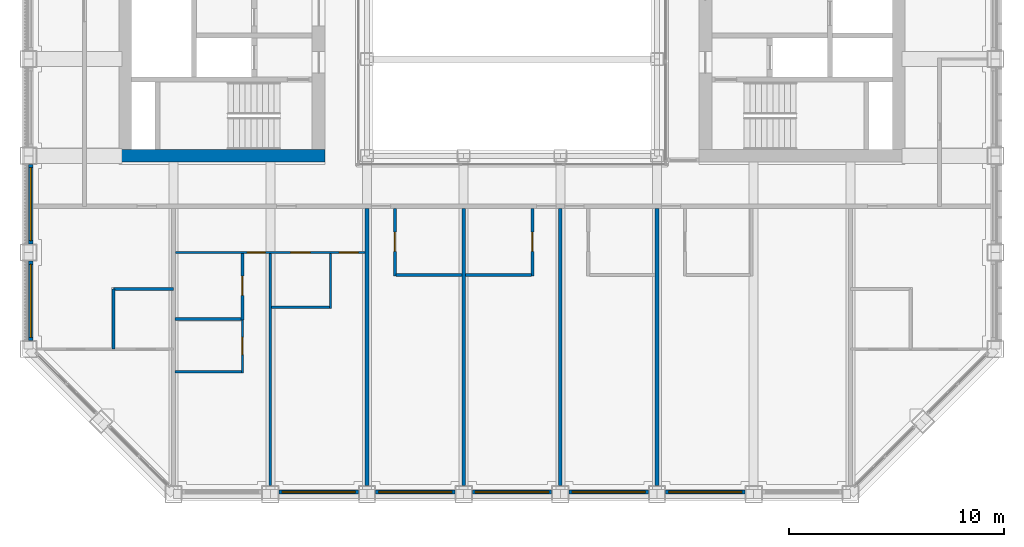
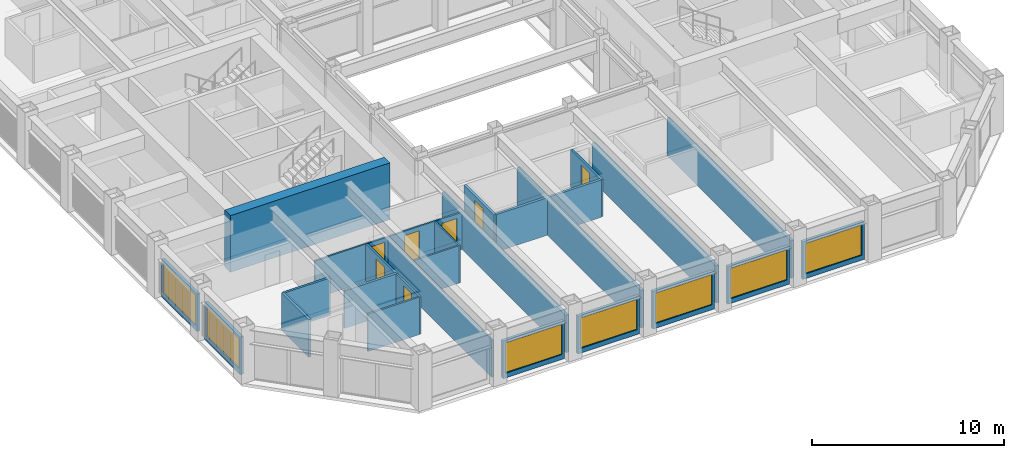
# One storey, part 10 of 18: 26 walls, 7 doors, 7 windows, 14 openings.
"""IFC4 building model written with IfcOpenShell, lengths in metres."""

from ifc_helpers import new_model, si_unit, direction, frame, frame_2d, origin, place, context, subcontext, project, spatial, rectangle, extrude, material, layer, layer_set, type_object, element, fill, save


model = new_model("IFC4")

# Units and contexts
model_context = context("Model", 3, precision=1e-05, world=origin(), true_north=direction((0.0, 1.0)))
body_context = subcontext(model_context, "Body", "Model", "MODEL_VIEW")
ifc_project = project(units=[si_unit("LENGTHUNIT", "METRE"), si_unit("AREAUNIT", "SQUARE_METRE"), si_unit("VOLUMEUNIT", "CUBIC_METRE"), si_unit("PLANEANGLEUNIT", "RADIAN"), si_unit("MASSUNIT", "GRAM", prefix="KILO")], contexts=[model_context])

# Site, building, storey
site_placement = place(None, origin())
site = spatial("IfcSite", under=ifc_project, at=site_placement, CompositionType="ELEMENT")
building_placement = place(site_placement, origin())
building = spatial("IfcBuilding", under=site, at=building_placement, Name="Msasa Ring Tower", CompositionType="ELEMENT")
storey_placement = place(building_placement, frame((0.0, 0.0, 186.800048828125)))
storey = spatial("IfcBuildingStorey", under=building, at=storey_placement, Name="L49", CompositionType="ELEMENT", Elevation=186.800048828125)

# Wall
ifc_material_1 = material(Name="Concrete C60/75", Category="concrete")
ifc_layer_1 = layer(ifc_material_1, 0.60009765625)
ifc_layer_set_1 = layer_set([ifc_layer_1], Name="CW2 CORE WALL 600")
wall_type_1 = type_object("IfcWallType", Name="CW2 CORE WALL 600", PredefinedType="SHEAR", material=ifc_layer_set_1)
wall_1_placement = place(storey_placement, frame((-8.699951171875, -6.75, 0.0), z_axis=(0.0, 0.0, 1.0), x_axis=(-1.0, 0.0, 0.0)))
element("IfcWall", 1, at=wall_1_placement, inside=storey, type_object=wall_type_1, Name="W core wall S L49", PredefinedType="SHEAR", context=body_context, shape_type="SweptSolid", body=[
    extrude(rectangle(XDim=9.60009765625, YDim=0.60009765625, at=frame_2d((4.800048828125, 0.0))), origin(), (0.0, 0.0, 1.0), 3.599853515625),
])

# Wall, opening, window
ifc_material_2 = material(Name="Terracotta rainscreen on blockwork", Category="masonry")
ifc_layer_2 = layer(ifc_material_2, 0.199951171875)
ifc_layer_set_2 = layer_set([ifc_layer_2], Name="FW1 TERRACOTTA-LINED INFILL BAY WALL 200")
wall_type_2 = type_object("IfcWallType", Name="FW1 TERRACOTTA-LINED INFILL BAY WALL 200", PredefinedType="SOLIDWALL", material=ifc_layer_set_2)
wall_2_placement = place(storey_placement, frame((-10.844970703125, -22.39990234375, 0.0), z_axis=(0.0, 0.0, 1.0), x_axis=(1.0, 0.0, 0.0)))
wall_2 = element("IfcWall", 2, at=wall_2_placement, inside=storey, type_object=wall_type_2, Name="Infill bay wall S L49 01", PredefinedType="SOLIDWALL", context=body_context, shape_type="SweptSolid", body=[
    extrude(rectangle(XDim=3.68994140625, YDim=0.199951171875, at=frame_2d((1.844970703125, 0.0))), origin(), (0.0, 0.0, 1.0), 2.37890625),
])
opening_1_placement = place(wall_2_placement, frame((0.14501953125, 0.0, 0.300048828125)))
opening_1 = element("IfcOpeningElement", 3, at=opening_1_placement, cuts=wall_2, Name="Opening WN7", PredefinedType="OPENING", context=body_context, shape_type="SweptSolid", body=[
    extrude(rectangle(XDim=3.39990234375, YDim=1.928955078125, at=frame_2d((1.699951171875, 0.96435546875))), frame((0.0, 0.10986328125, 0.0), z_axis=(0.0, -1.0, 0.0), x_axis=(1.0, 0.0, 0.0)), (0.0, 0.0, 1.0), 0.219970703125),
])
ifc_material_3 = material(Name="Aluminium frame with clear glass", Category="aluminium")
window_type = type_object("IfcWindowType", Name="WN7 GUEST ROOM WINDOW 3400x1929", PartitioningType="SINGLE_PANEL", PredefinedType="WINDOW", material=ifc_material_3)
window_1_placement = place(opening_1_placement, origin())
window_1 = element("IfcWindow", 4, at=window_1_placement, inside=storey, type_object=window_type, Name="Window S L49 01", OverallHeight=1.928955078125, OverallWidth=3.39990234375, PartitioningType="SINGLE_PANEL", PredefinedType="WINDOW", context=body_context, shape_type="SweptSolid", body=[
    extrude(rectangle(XDim=3.39990234375, YDim=1.928955078125, at=frame_2d((1.699951171875, 0.96435546875))), frame((0.0, 0.030029296875, 0.0), z_axis=(0.0, -1.0, 0.0), x_axis=(1.0, 0.0, 0.0)), (0.0, 0.0, 1.0), 0.06005859375),
])
fill(opening_1, window_1)

wall_3_placement = place(storey_placement, frame((-6.344970703125, -22.39990234375, 0.0), z_axis=(0.0, 0.0, 1.0), x_axis=(1.0, 0.0, 0.0)))
wall_3 = element("IfcWall", 5, at=wall_3_placement, inside=storey, type_object=wall_type_2, Name="Infill bay wall S L49 02", PredefinedType="SOLIDWALL", context=body_context, shape_type="SweptSolid", body=[
    extrude(rectangle(XDim=3.68994140625, YDim=0.199951171875, at=frame_2d((1.844970703125, 0.0))), origin(), (0.0, 0.0, 1.0), 2.37890625),
])
opening_2_placement = place(wall_3_placement, frame((0.14501953125, 0.0, 0.300048828125)))
opening_2 = element("IfcOpeningElement", 6, at=opening_2_placement, cuts=wall_3, Name="Opening WN7", PredefinedType="OPENING", context=body_context, shape_type="SweptSolid", body=[
    extrude(rectangle(XDim=3.39990234375, YDim=1.928955078125, at=frame_2d((1.699951171875, 0.96435546875))), frame((0.0, 0.10986328125, 0.0), z_axis=(0.0, -1.0, 0.0), x_axis=(1.0, 0.0, 0.0)), (0.0, 0.0, 1.0), 0.219970703125),
])
window_2_placement = place(opening_2_placement, origin())
window_2 = element("IfcWindow", 7, at=window_2_placement, inside=storey, type_object=window_type, Name="Window S L49 02", OverallHeight=1.928955078125, OverallWidth=3.39990234375, PartitioningType="SINGLE_PANEL", PredefinedType="WINDOW", context=body_context, shape_type="SweptSolid", body=[
    extrude(rectangle(XDim=3.39990234375, YDim=1.928955078125, at=frame_2d((1.699951171875, 0.96435546875))), frame((0.0, 0.030029296875, 0.0), z_axis=(0.0, -1.0, 0.0), x_axis=(1.0, 0.0, 0.0)), (0.0, 0.0, 1.0), 0.06005859375),
])
fill(opening_2, window_2)

wall_4_placement = place(storey_placement, frame((-1.844970703125, -22.39990234375, 0.0), z_axis=(0.0, 0.0, 1.0), x_axis=(1.0, 0.0, 0.0)))
wall_4 = element("IfcWall", 8, at=wall_4_placement, inside=storey, type_object=wall_type_2, Name="Infill bay wall S L49 03", PredefinedType="SOLIDWALL", context=body_context, shape_type="SweptSolid", body=[
    extrude(rectangle(XDim=3.68994140625, YDim=0.199951171875, at=frame_2d((1.844970703125, 0.0))), origin(), (0.0, 0.0, 1.0), 2.37890625),
])
opening_3_placement = place(wall_4_placement, frame((0.14501953125, 0.0, 0.300048828125)))
opening_3 = element("IfcOpeningElement", 9, at=opening_3_placement, cuts=wall_4, Name="Opening WN7", PredefinedType="OPENING", context=body_context, shape_type="SweptSolid", body=[
    extrude(rectangle(XDim=3.39990234375, YDim=1.928955078125, at=frame_2d((1.699951171875, 0.96435546875))), frame((0.0, 0.10986328125, 0.0), z_axis=(0.0, -1.0, 0.0), x_axis=(1.0, 0.0, 0.0)), (0.0, 0.0, 1.0), 0.219970703125),
])
window_3_placement = place(opening_3_placement, origin())
window_3 = element("IfcWindow", 10, at=window_3_placement, inside=storey, type_object=window_type, Name="Window S L49 03", OverallHeight=1.928955078125, OverallWidth=3.39990234375, PartitioningType="SINGLE_PANEL", PredefinedType="WINDOW", context=body_context, shape_type="SweptSolid", body=[
    extrude(rectangle(XDim=3.39990234375, YDim=1.928955078125, at=frame_2d((1.699951171875, 0.96435546875))), frame((0.0, 0.030029296875, 0.0), z_axis=(0.0, -1.0, 0.0), x_axis=(1.0, 0.0, 0.0)), (0.0, 0.0, 1.0), 0.06005859375),
])
fill(opening_3, window_3)

wall_5_placement = place(storey_placement, frame((2.655029296875, -22.39990234375, 0.0), z_axis=(0.0, 0.0, 1.0), x_axis=(1.0, 0.0, 0.0)))
wall_5 = element("IfcWall", 11, at=wall_5_placement, inside=storey, type_object=wall_type_2, Name="Infill bay wall S L49 04", PredefinedType="SOLIDWALL", context=body_context, shape_type="SweptSolid", body=[
    extrude(rectangle(XDim=3.68994140625, YDim=0.199951171875, at=frame_2d((1.844970703125, 0.0))), origin(), (0.0, 0.0, 1.0), 2.37890625),
])
opening_4_placement = place(wall_5_placement, frame((0.14501953125, 0.0, 0.300048828125)))
opening_4 = element("IfcOpeningElement", 12, at=opening_4_placement, cuts=wall_5, Name="Opening WN7", PredefinedType="OPENING", context=body_context, shape_type="SweptSolid", body=[
    extrude(rectangle(XDim=3.39990234375, YDim=1.928955078125, at=frame_2d((1.699951171875, 0.96435546875))), frame((0.0, 0.10986328125, 0.0), z_axis=(0.0, -1.0, 0.0), x_axis=(1.0, 0.0, 0.0)), (0.0, 0.0, 1.0), 0.219970703125),
])
window_4_placement = place(opening_4_placement, origin())
window_4 = element("IfcWindow", 13, at=window_4_placement, inside=storey, type_object=window_type, Name="Window S L49 04", OverallHeight=1.928955078125, OverallWidth=3.39990234375, PartitioningType="SINGLE_PANEL", PredefinedType="WINDOW", context=body_context, shape_type="SweptSolid", body=[
    extrude(rectangle(XDim=3.39990234375, YDim=1.928955078125, at=frame_2d((1.699951171875, 0.96435546875))), frame((0.0, 0.030029296875, 0.0), z_axis=(0.0, -1.0, 0.0), x_axis=(1.0, 0.0, 0.0)), (0.0, 0.0, 1.0), 0.06005859375),
])
fill(opening_4, window_4)

wall_6_placement = place(storey_placement, frame((7.155029296875, -22.39990234375, 0.0), z_axis=(0.0, 0.0, 1.0), x_axis=(1.0, 0.0, 0.0)))
wall_6 = element("IfcWall", 14, at=wall_6_placement, inside=storey, type_object=wall_type_2, Name="Infill bay wall S L49 05", PredefinedType="SOLIDWALL", context=body_context, shape_type="SweptSolid", body=[
    extrude(rectangle(XDim=3.68994140625, YDim=0.199951171875, at=frame_2d((1.844970703125, 0.0))), origin(), (0.0, 0.0, 1.0), 2.37890625),
])
opening_5_placement = place(wall_6_placement, frame((0.14501953125, 0.0, 0.300048828125)))
opening_5 = element("IfcOpeningElement", 15, at=opening_5_placement, cuts=wall_6, Name="Opening WN7", PredefinedType="OPENING", context=body_context, shape_type="SweptSolid", body=[
    extrude(rectangle(XDim=3.39990234375, YDim=1.928955078125, at=frame_2d((1.699951171875, 0.96435546875))), frame((0.0, 0.10986328125, 0.0), z_axis=(0.0, -1.0, 0.0), x_axis=(1.0, 0.0, 0.0)), (0.0, 0.0, 1.0), 0.219970703125),
])
window_5_placement = place(opening_5_placement, origin())
window_5 = element("IfcWindow", 16, at=window_5_placement, inside=storey, type_object=window_type, Name="Window S L49 05", OverallHeight=1.928955078125, OverallWidth=3.39990234375, PartitioningType="SINGLE_PANEL", PredefinedType="WINDOW", context=body_context, shape_type="SweptSolid", body=[
    extrude(rectangle(XDim=3.39990234375, YDim=1.928955078125, at=frame_2d((1.699951171875, 0.96435546875))), frame((0.0, 0.030029296875, 0.0), z_axis=(0.0, -1.0, 0.0), x_axis=(1.0, 0.0, 0.0)), (0.0, 0.0, 1.0), 0.06005859375),
])
fill(opening_5, window_5)

wall_7_placement = place(storey_placement, frame((-22.39990234375, -15.344970703125, 0.0), z_axis=(0.0, 0.0, 1.0), x_axis=(0.0, 1.0, 0.0)))
wall_7 = element("IfcWall", 17, at=wall_7_placement, inside=storey, type_object=wall_type_2, Name="Infill bay wall W L49 27", PredefinedType="SOLIDWALL", context=body_context, shape_type="SweptSolid", body=[
    extrude(rectangle(XDim=3.68994140625, YDim=0.199951171875, at=frame_2d((1.844970703125, 0.0))), origin(), (0.0, 0.0, 1.0), 2.37890625),
])
opening_6_placement = place(wall_7_placement, frame((0.14501953125, 0.0, 0.300048828125)))
opening_6 = element("IfcOpeningElement", 18, at=opening_6_placement, cuts=wall_7, Name="Opening WN7", PredefinedType="OPENING", context=body_context, shape_type="SweptSolid", body=[
    extrude(rectangle(XDim=3.39990234375, YDim=1.928955078125, at=frame_2d((1.699951171875, 0.96435546875))), frame((0.0, 0.10986328125, 0.0), z_axis=(0.0, -1.0, 0.0), x_axis=(1.0, 0.0, 0.0)), (0.0, 0.0, 1.0), 0.219970703125),
])
window_6_placement = place(opening_6_placement, origin())
window_6 = element("IfcWindow", 19, at=window_6_placement, inside=storey, type_object=window_type, Name="Window W L49 27", OverallHeight=1.928955078125, OverallWidth=3.39990234375, PartitioningType="SINGLE_PANEL", PredefinedType="WINDOW", context=body_context, shape_type="SweptSolid", body=[
    extrude(rectangle(XDim=3.39990234375, YDim=1.928955078125, at=frame_2d((1.699951171875, 0.96435546875))), frame((0.0, 0.030029296875, 0.0), z_axis=(0.0, -1.0, 0.0), x_axis=(1.0, 0.0, 0.0)), (0.0, 0.0, 1.0), 0.06005859375),
])
fill(opening_6, window_6)

wall_8_placement = place(storey_placement, frame((-22.39990234375, -10.844970703125, 0.0), z_axis=(0.0, 0.0, 1.0), x_axis=(0.0, 1.0, 0.0)))
wall_8 = element("IfcWall", 20, at=wall_8_placement, inside=storey, type_object=wall_type_2, Name="Infill bay wall W L49 28", PredefinedType="SOLIDWALL", context=body_context, shape_type="SweptSolid", body=[
    extrude(rectangle(XDim=3.68994140625, YDim=0.199951171875, at=frame_2d((1.844970703125, 0.0))), origin(), (0.0, 0.0, 1.0), 2.37890625),
])
opening_7_placement = place(wall_8_placement, frame((0.14501953125, 0.0, 0.300048828125)))
opening_7 = element("IfcOpeningElement", 21, at=opening_7_placement, cuts=wall_8, Name="Opening WN7", PredefinedType="OPENING", context=body_context, shape_type="SweptSolid", body=[
    extrude(rectangle(XDim=3.39990234375, YDim=1.928955078125, at=frame_2d((1.699951171875, 0.96435546875))), frame((0.0, 0.10986328125, 0.0), z_axis=(0.0, -1.0, 0.0), x_axis=(1.0, 0.0, 0.0)), (0.0, 0.0, 1.0), 0.219970703125),
])
window_7_placement = place(opening_7_placement, origin())
window_7 = element("IfcWindow", 22, at=window_7_placement, inside=storey, type_object=window_type, Name="Window W L49 28", OverallHeight=1.928955078125, OverallWidth=3.39990234375, PartitioningType="SINGLE_PANEL", PredefinedType="WINDOW", context=body_context, shape_type="SweptSolid", body=[
    extrude(rectangle(XDim=3.39990234375, YDim=1.928955078125, at=frame_2d((1.699951171875, 0.96435546875))), frame((0.0, 0.030029296875, 0.0), z_axis=(0.0, -1.0, 0.0), x_axis=(1.0, 0.0, 0.0)), (0.0, 0.0, 1.0), 0.06005859375),
])
fill(opening_7, window_7)

# Wall, openings, doors
ifc_material_4 = material(Name="Gypsum board on steel studs", Category="steel")
ifc_layer_3 = layer(ifc_material_4, 0.10009765625)
ifc_layer_set_3 = layer_set([ifc_layer_3], Name="PT2 STUD PARTITION 100")
wall_type_3 = type_object("IfcWallType", Name="PT2 STUD PARTITION 100", PredefinedType="PARTITIONING", material=ifc_layer_set_3)
wall_9_placement = place(storey_placement, frame((-15.66259765625, -11.25, 0.0), z_axis=(0.0, 0.0, 1.0), x_axis=(1.0, 0.0, 0.0)))
wall_9 = element("IfcWall", 23, at=wall_9_placement, inside=storey, type_object=wall_type_3, Name="Partition L49-GS00HY", PredefinedType="PARTITIONING", context=body_context, shape_type="SweptSolid", body=[
    extrude(rectangle(XDim=8.8251953125, YDim=0.10009765625, at=frame_2d((4.41259765625, 0.0))), origin(), (0.0, 0.0, 1.0), 2.37890625),
])
opening_8_placement = place(wall_9_placement, frame((5.362548828125, 0.0, 0.0)))
opening_8 = element("IfcOpeningElement", 24, at=opening_8_placement, cuts=wall_9, Name="Opening HG-052", PredefinedType="OPENING", context=body_context, shape_type="SweptSolid", body=[
    extrude(rectangle(XDim=0.89990234375, YDim=2.10009765625, at=frame_2d((0.449951171875, 1.050048828125))), frame((0.0, 0.06005859375, 0.0), z_axis=(0.0, -1.0, 0.0), x_axis=(1.0, 0.0, 0.0)), (0.0, 0.0, 1.0), 0.1201171875),
])
opening_9_placement = place(wall_9_placement, frame((7.612548828125, 0.0, 0.0)))
opening_9 = element("IfcOpeningElement", 25, at=opening_9_placement, cuts=wall_9, Name="Opening HG-053", PredefinedType="OPENING", context=body_context, shape_type="SweptSolid", body=[
    extrude(rectangle(XDim=0.89990234375, YDim=2.10009765625, at=frame_2d((0.449951171875, 1.050048828125))), frame((0.0, 0.06005859375, 0.0), z_axis=(0.0, -1.0, 0.0), x_axis=(1.0, 0.0, 0.0)), (0.0, 0.0, 1.0), 0.1201171875),
])
opening_10_placement = place(wall_9_placement, frame((3.33740234375, 0.0, 0.0)))
opening_10 = element("IfcOpeningElement", 26, at=opening_10_placement, cuts=wall_9, Name="Opening HG-051", PredefinedType="OPENING", context=body_context, shape_type="SweptSolid", body=[
    extrude(rectangle(XDim=0.85009765625, YDim=2.10009765625, at=frame_2d((0.425048828125, 1.050048828125))), frame((0.0, 0.06005859375, 0.0), z_axis=(0.0, -1.0, 0.0), x_axis=(1.0, 0.0, 0.0)), (0.0, 0.0, 1.0), 0.1201171875),
])
ifc_material_5 = material(Name="Timber door leaf in a steel frame", Category="steel")
door_type_1 = type_object("IfcDoorType", Name="D14 BEDROOM DOOR 850x2100", OperationType="SINGLE_SWING_LEFT", PredefinedType="DOOR", material=ifc_material_5)
door_1_placement = place(opening_10_placement, origin())
door_1 = element("IfcDoor", 27, at=door_1_placement, inside=storey, type_object=door_type_1, Name="Door L49-GS00R1", OperationType="SINGLE_SWING_LEFT", OverallHeight=2.10009765625, OverallWidth=0.85009765625, PredefinedType="DOOR", context=body_context, shape_type="SweptSolid", body=[
    extrude(rectangle(XDim=0.85009765625, YDim=2.10009765625, at=frame_2d((0.425048828125, 1.050048828125))), frame((0.0, 0.02490234375, 0.0), z_axis=(0.0, -1.0, 0.0), x_axis=(1.0, 0.0, 0.0)), (0.0, 0.0, 1.0), 0.050048828125),
])
fill(opening_10, door_1)
ifc_material_6 = material(Name="Timber door leaf in a steel frame", Category="steel")
door_type_2 = type_object("IfcDoorType", Name="D22 INTERNAL HALL DOOR 900x2100", OperationType="SINGLE_SWING_LEFT", PredefinedType="DOOR", material=ifc_material_6)
door_2_placement = place(opening_8_placement, origin())
door_2 = element("IfcDoor", 28, at=door_2_placement, inside=storey, type_object=door_type_2, Name="Door L49-GS00K", OperationType="SINGLE_SWING_RIGHT", OverallHeight=2.10009765625, OverallWidth=0.89990234375, PredefinedType="DOOR", context=body_context, shape_type="SweptSolid", body=[
    extrude(rectangle(XDim=0.89990234375, YDim=2.10009765625, at=frame_2d((0.449951171875, 1.050048828125))), frame((0.0, 0.02490234375, 0.0), z_axis=(0.0, -1.0, 0.0), x_axis=(1.0, 0.0, 0.0)), (0.0, 0.0, 1.0), 0.050048828125),
])
fill(opening_8, door_2)
door_3_placement = place(opening_9_placement, origin())
door_3 = element("IfcDoor", 29, at=door_3_placement, inside=storey, type_object=door_type_2, Name="Door L49-GS00L", OperationType="SINGLE_SWING_RIGHT", OverallHeight=2.10009765625, OverallWidth=0.89990234375, PredefinedType="DOOR", context=body_context, shape_type="SweptSolid", body=[
    extrude(rectangle(XDim=0.89990234375, YDim=2.10009765625, at=frame_2d((0.449951171875, 1.050048828125))), frame((0.0, 0.02490234375, 0.0), z_axis=(0.0, -1.0, 0.0), x_axis=(1.0, 0.0, 0.0)), (0.0, 0.0, 1.0), 0.050048828125),
])
fill(opening_9, door_3)

# Walls
wall_10_placement = place(storey_placement, frame((-8.449951171875, -13.85009765625, 0.0), z_axis=(0.0, 0.0, 1.0), x_axis=(0.0, 1.0, 0.0)))
element("IfcWall", 30, at=wall_10_placement, inside=storey, type_object=wall_type_3, Name="Partition L49-GS00KX", PredefinedType="PARTITIONING", context=body_context, shape_type="SweptSolid", body=[
    extrude(rectangle(XDim=2.550048828125, YDim=0.10009765625, at=frame_2d((1.27490234375, 0.0))), origin(), (0.0, 0.0, 1.0), 2.37890625),
])
wall_11_placement = place(storey_placement, frame((-11.199951171875, -13.800048828125, 0.0), z_axis=(0.0, 0.0, 1.0), x_axis=(1.0, 0.0, 0.0)))
element("IfcWall", 31, at=wall_11_placement, inside=storey, type_object=wall_type_3, Name="Partition L49-GS00KY", PredefinedType="PARTITIONING", context=body_context, shape_type="SweptSolid", body=[
    extrude(rectangle(XDim=2.75, YDim=0.10009765625, at=frame_2d((1.375, 0.0))), origin(), (0.0, 0.0, 1.0), 2.37890625),
])
wall_12_placement = place(storey_placement, frame((-11.25, -22.10009765625, 0.0), z_axis=(0.0, 0.0, 1.0), x_axis=(0.0, 1.0, 0.0)))
element("IfcWall", 32, at=wall_12_placement, inside=storey, type_object=wall_type_3, Name="Partition L49-GS00P1", PredefinedType="PARTITIONING", context=body_context, shape_type="SweptSolid", body=[
    extrude(rectangle(XDim=10.800048828125, YDim=0.10009765625, at=frame_2d((5.39990234375, 0.0))), origin(), (0.0, 0.0, 1.0), 2.37890625),
])

# Wall, opening, door
wall_13_placement = place(storey_placement, frame((-12.550048828125, -16.85009765625, 0.0), z_axis=(0.0, 0.0, 1.0), x_axis=(0.0, 1.0, 0.0)))
wall_13 = element("IfcWall", 33, at=wall_13_placement, inside=storey, type_object=wall_type_3, Name="Partition L49-GS00WX1", PredefinedType="PARTITIONING", context=body_context, shape_type="SweptSolid", body=[
    extrude(rectangle(XDim=2.4501953125, YDim=0.10009765625, at=frame_2d((1.22509765625, 0.0))), origin(), (0.0, 0.0, 1.0), 2.37890625),
])
opening_11_placement = place(wall_13_placement, frame((0.85009765625, 0.0, 0.0)))
opening_11 = element("IfcOpeningElement", 34, at=opening_11_placement, cuts=wall_13, Name="Opening HG-055", PredefinedType="OPENING", context=body_context, shape_type="SweptSolid", body=[
    extrude(rectangle(XDim=0.800048828125, YDim=2.10009765625, at=frame_2d((0.39990234375, 1.050048828125))), frame((0.0, 0.06005859375, 0.0), z_axis=(0.0, -1.0, 0.0), x_axis=(1.0, 0.0, 0.0)), (0.0, 0.0, 1.0), 0.1201171875),
])
ifc_material_7 = material(Name="Timber door leaf in a steel frame", Category="steel")
door_type_3 = type_object("IfcDoorType", Name="D60 DRESSING ROOM DOOR 800x2100", OperationType="SINGLE_SWING_LEFT", PredefinedType="DOOR", material=ifc_material_7)
door_4_placement = place(opening_11_placement, origin())
door_4 = element("IfcDoor", 35, at=door_4_placement, inside=storey, type_object=door_type_3, Name="Door L49-GS00W1", OperationType="SINGLE_SWING_LEFT", OverallHeight=2.10009765625, OverallWidth=0.800048828125, PredefinedType="DOOR", context=body_context, shape_type="SweptSolid", body=[
    extrude(rectangle(XDim=0.800048828125, YDim=2.10009765625, at=frame_2d((0.39990234375, 1.050048828125))), frame((0.0, 0.02490234375, 0.0), z_axis=(0.0, -1.0, 0.0), x_axis=(1.0, 0.0, 0.0)), (0.0, 0.0, 1.0), 0.050048828125),
])
fill(opening_11, door_4)

# Wall
wall_14_placement = place(storey_placement, frame((-15.68994140625, -16.800048828125, 0.0), z_axis=(0.0, 0.0, 1.0), x_axis=(1.0, 0.0, 0.0)))
element("IfcWall", 36, at=wall_14_placement, inside=storey, type_object=wall_type_3, Name="Partition L49-GS00WY1", PredefinedType="PARTITIONING", context=body_context, shape_type="SweptSolid", body=[
    extrude(rectangle(XDim=3.139892578125, YDim=0.10009765625, at=frame_2d((1.56982421875, 0.0))), origin(), (0.0, 0.0, 1.0), 2.37890625),
])

# Wall, opening, door
ifc_material_8 = material(Name="Moisture-resistant board on steel studs with a concealed cistern and pipe void, tiled", Category="steel")
ifc_layer_4 = layer(ifc_material_8, 0.14990234375)
ifc_layer_set_4 = layer_set([ifc_layer_4], Name="PT4 BATHROOM WET WALL 150")
wall_type_4 = type_object("IfcWallType", Name="PT4 BATHROOM WET WALL 150", PredefinedType="PARTITIONING", material=ifc_layer_set_4)
wall_15_placement = place(storey_placement, frame((-12.550048828125, -14.39990234375, 0.0), z_axis=(0.0, 0.0, 1.0), x_axis=(0.0, 1.0, 0.0)))
wall_15 = element("IfcWall", 37, at=wall_15_placement, inside=storey, type_object=wall_type_4, Name="Partition L49-GS00BX1", PredefinedType="PARTITIONING", context=body_context, shape_type="SweptSolid", body=[
    extrude(rectangle(XDim=3.099853515625, YDim=0.14990234375, at=frame_2d((1.5498046875, 0.0))), origin(), (0.0, 0.0, 1.0), 2.37890625),
])
opening_12_placement = place(wall_15_placement, frame((1.14990234375, 0.0, 0.0)))
opening_12 = element("IfcOpeningElement", 38, at=opening_12_placement, cuts=wall_15, Name="Opening HG-054", PredefinedType="OPENING", context=body_context, shape_type="SweptSolid", body=[
    extrude(rectangle(XDim=0.89990234375, YDim=2.10009765625, at=frame_2d((0.449951171875, 1.050048828125))), frame((0.0, 0.0849609375, 0.0), z_axis=(0.0, -1.0, 0.0), x_axis=(1.0, 0.0, 0.0)), (0.0, 0.0, 1.0), 0.169921875),
])
ifc_material_9 = material(Name="Timber door leaf in a steel frame", Category="steel")
door_type_4 = type_object("IfcDoorType", Name="D3 BATHROOM DOOR 900x2100", OperationType="SINGLE_SWING_LEFT", PredefinedType="DOOR", material=ifc_material_9)
door_5_placement = place(opening_12_placement, origin())
door_5 = element("IfcDoor", 39, at=door_5_placement, inside=storey, type_object=door_type_4, Name="Door L49-GS00B1", OperationType="SINGLE_SWING_RIGHT", OverallHeight=2.10009765625, OverallWidth=0.89990234375, PredefinedType="DOOR", context=body_context, shape_type="SweptSolid", body=[
    extrude(rectangle(XDim=0.89990234375, YDim=2.10009765625, at=frame_2d((0.449951171875, 1.050048828125))), frame((0.0, 0.02490234375, 0.0), z_axis=(0.0, -1.0, 0.0), x_axis=(1.0, 0.0, 0.0)), (0.0, 0.0, 1.0), 0.050048828125),
])
fill(opening_12, door_5)

# Wall
wall_16_placement = place(storey_placement, frame((-15.68994140625, -14.35009765625, 0.0), z_axis=(0.0, 0.0, 1.0), x_axis=(1.0, 0.0, 0.0)))
element("IfcWall", 40, at=wall_16_placement, inside=storey, type_object=wall_type_4, Name="Partition L49-GS00BY1", PredefinedType="PARTITIONING", context=body_context, shape_type="SweptSolid", body=[
    extrude(rectangle(XDim=3.139892578125, YDim=0.14990234375, at=frame_2d((1.56982421875, 0.0))), origin(), (0.0, 0.0, 1.0), 2.37890625),
])

# Wall, opening, door
wall_17_placement = place(storey_placement, frame((-5.449951171875, -12.35009765625, 0.0), z_axis=(0.0, 0.0, 1.0), x_axis=(0.0, 1.0, 0.0)))
wall_17 = element("IfcWall", 41, at=wall_17_placement, inside=storey, type_object=wall_type_4, Name="Partition L49-GS01BX", PredefinedType="PARTITIONING", context=body_context, shape_type="SweptSolid", body=[
    extrude(rectangle(XDim=3.150146484375, YDim=0.14990234375, at=frame_2d((1.5751953125, 0.0))), origin(), (0.0, 0.0, 1.0), 2.37890625),
])
opening_13_placement = place(wall_17_placement, frame((1.14990234375, 0.0, 0.0)))
opening_13 = element("IfcOpeningElement", 42, at=opening_13_placement, cuts=wall_17, Name="Opening HG-047", PredefinedType="OPENING", context=body_context, shape_type="SweptSolid", body=[
    extrude(rectangle(XDim=0.89990234375, YDim=2.10009765625, at=frame_2d((0.449951171875, 1.050048828125))), frame((0.0, 0.0849609375, 0.0), z_axis=(0.0, -1.0, 0.0), x_axis=(1.0, 0.0, 0.0)), (0.0, 0.0, 1.0), 0.169921875),
])
door_6_placement = place(opening_13_placement, origin())
door_6 = element("IfcDoor", 43, at=door_6_placement, inside=storey, type_object=door_type_4, Name="Door L49-GS01B", OperationType="SINGLE_SWING_LEFT", OverallHeight=2.10009765625, OverallWidth=0.89990234375, PredefinedType="DOOR", context=body_context, shape_type="SweptSolid", body=[
    extrude(rectangle(XDim=0.89990234375, YDim=2.10009765625, at=frame_2d((0.449951171875, 1.050048828125))), frame((0.0, 0.02490234375, 0.0), z_axis=(0.0, -1.0, 0.0), x_axis=(1.0, 0.0, 0.0)), (0.0, 0.0, 1.0), 0.050048828125),
])
fill(opening_13, door_6)

# Wall
wall_18_placement = place(storey_placement, frame((-5.39990234375, -12.300048828125, 0.0), z_axis=(0.0, 0.0, 1.0), x_axis=(1.0, 0.0, 0.0)))
element("IfcWall", 44, at=wall_18_placement, inside=storey, type_object=wall_type_4, Name="Partition L49-GS01BY", PredefinedType="PARTITIONING", context=body_context, shape_type="SweptSolid", body=[
    extrude(rectangle(XDim=3.0625, YDim=0.14990234375, at=frame_2d((1.53125, 0.0))), origin(), (0.0, 0.0, 1.0), 2.37890625),
])

# Wall, opening, door
wall_19_placement = place(storey_placement, frame((0.949951171875, -12.35009765625, 0.0), z_axis=(0.0, 0.0, 1.0), x_axis=(0.0, 1.0, 0.0)))
wall_19 = element("IfcWall", 45, at=wall_19_placement, inside=storey, type_object=wall_type_4, Name="Partition L49-GS02BX", PredefinedType="PARTITIONING", context=body_context, shape_type="SweptSolid", body=[
    extrude(rectangle(XDim=3.150146484375, YDim=0.14990234375, at=frame_2d((1.5751953125, 0.0))), origin(), (0.0, 0.0, 1.0), 2.37890625),
])
opening_14_placement = place(wall_19_placement, frame((1.14990234375, 0.0, 0.0)))
opening_14 = element("IfcOpeningElement", 46, at=opening_14_placement, cuts=wall_19, Name="Opening HG-048", PredefinedType="OPENING", context=body_context, shape_type="SweptSolid", body=[
    extrude(rectangle(XDim=0.89990234375, YDim=2.10009765625, at=frame_2d((0.449951171875, 1.050048828125))), frame((0.0, 0.0849609375, 0.0), z_axis=(0.0, -1.0, 0.0), x_axis=(1.0, 0.0, 0.0)), (0.0, 0.0, 1.0), 0.169921875),
])
door_7_placement = place(opening_14_placement, origin())
door_7 = element("IfcDoor", 47, at=door_7_placement, inside=storey, type_object=door_type_4, Name="Door L49-GS02B", OperationType="SINGLE_SWING_LEFT", OverallHeight=2.10009765625, OverallWidth=0.89990234375, PredefinedType="DOOR", context=body_context, shape_type="SweptSolid", body=[
    extrude(rectangle(XDim=0.89990234375, YDim=2.10009765625, at=frame_2d((0.449951171875, 1.050048828125))), frame((0.0, 0.02490234375, 0.0), z_axis=(0.0, -1.0, 0.0), x_axis=(1.0, 0.0, 0.0)), (0.0, 0.0, 1.0), 0.050048828125),
])
fill(opening_14, door_7)

# Walls
wall_20_placement = place(storey_placement, frame((-2.16259765625, -12.300048828125, 0.0), z_axis=(0.0, 0.0, 1.0), x_axis=(1.0, 0.0, 0.0)))
element("IfcWall", 48, at=wall_20_placement, inside=storey, type_object=wall_type_4, Name="Partition L49-GS02BY", PredefinedType="PARTITIONING", context=body_context, shape_type="SweptSolid", body=[
    extrude(rectangle(XDim=3.0625, YDim=0.14990234375, at=frame_2d((1.53125, 0.0))), origin(), (0.0, 0.0, 1.0), 2.37890625),
])
for number, where, z_axis, x_axis, name in (
    (49, (-18.550048828125, -15.75, 0.0), (0.0, 0.0, 1.0), (0.0, 1.0, 0.0), "Partition L49-CSSWBX"),
    (50, (-18.550048828125, -12.949951171875, 0.0), (0.0, 0.0, 1.0), (1.0, 0.0, 0.0), "Partition L49-CSSWBY"),
):
    element("IfcWall", number, at=place(storey_placement, frame(where, z_axis=z_axis, x_axis=x_axis)), inside=storey, type_object=wall_type_4, Name=name, PredefinedType="PARTITIONING", context=body_context, shape_type="SweptSolid", body=[
        extrude(rectangle(XDim=2.800048828125, YDim=0.14990234375, at=frame_2d((1.39990234375, 0.0))), origin(), (0.0, 0.0, 1.0), 2.37890625),
    ])
ifc_material_10 = material(Name="Twin steel studs, two layers of acoustic board each face, mineral wool", Category="steel")
ifc_layer_5 = layer(ifc_material_10, 0.175048828125)
ifc_layer_set_5 = layer_set([ifc_layer_5], Name="PT5 GUEST ROOM SEPARATING WALL 175")
wall_type_5 = type_object("IfcWallType", Name="PT5 GUEST ROOM SEPARATING WALL 175", PredefinedType="PARTITIONING", material=ifc_layer_set_5)
for number, where, z_axis, x_axis, name in (
    (51, (-6.75, -22.10009765625, 0.0), (0.0, 0.0, 1.0), (0.0, 1.0, 0.0), "Partition L49-PWS-6.75"),
    (52, (-2.25, -22.10009765625, 0.0), (0.0, 0.0, 1.0), (0.0, 1.0, 0.0), "Partition L49-PWS-2.25"),
    (53, (2.25, -22.10009765625, 0.0), (0.0, 0.0, 1.0), (0.0, 1.0, 0.0), "Partition L49-PWS+2.25"),
    (54, (6.75, -22.10009765625, 0.0), (0.0, 0.0, 1.0), (0.0, 1.0, 0.0), "Partition L49-PWS+6.75"),
):
    element("IfcWall", number, at=place(storey_placement, frame(where, z_axis=z_axis, x_axis=x_axis)), inside=storey, type_object=wall_type_5, Name=name, PredefinedType="PARTITIONING", context=body_context, shape_type="SweptSolid", body=[
        extrude(rectangle(XDim=12.900146484375, YDim=0.175048828125, at=frame_2d((6.4501953125, 0.0))), origin(), (0.0, 0.0, 1.0), 2.37890625),
    ])

save(model, "model.ifc")
